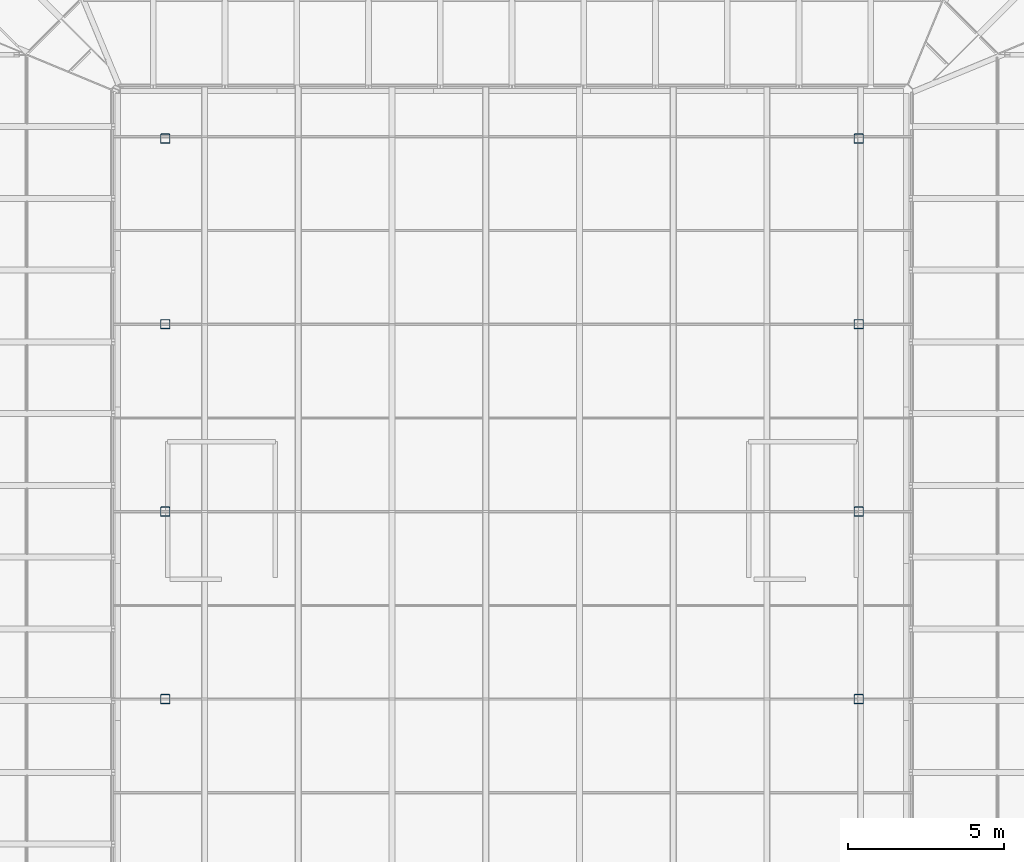
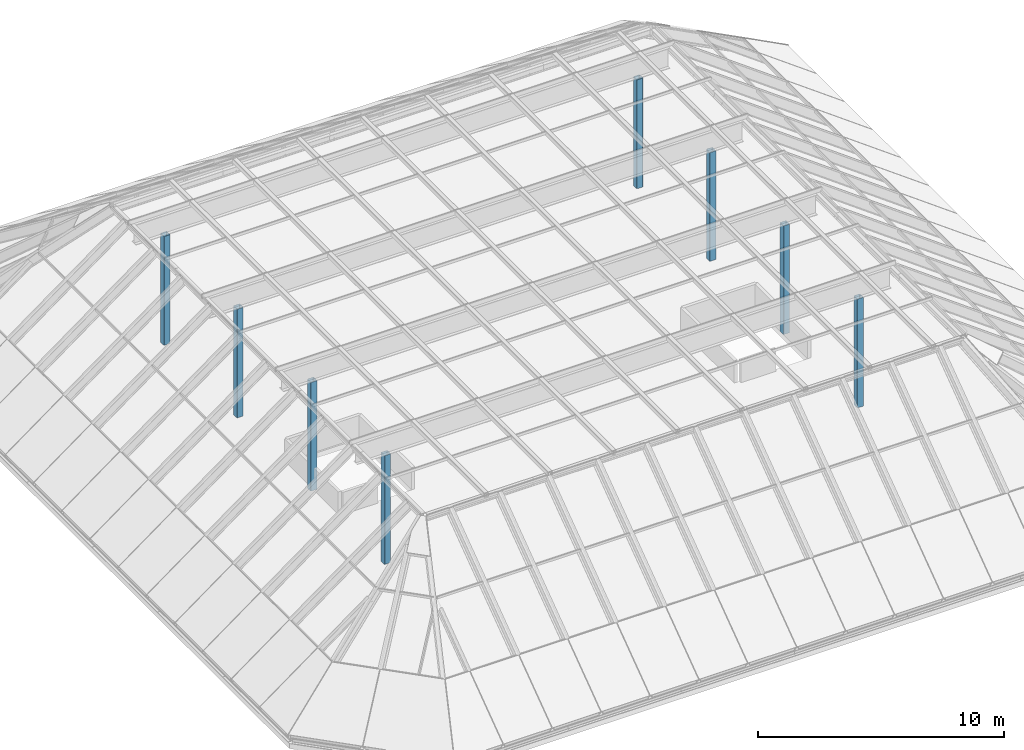
# One storey, part 1 of 15: 8 columns.
"""IFC4 building model written with IfcOpenShell, lengths in metres."""

from ifc_helpers import new_model, si_unit, direction, frame, origin, origin_2d, place, context, subcontext, project, spatial, hollow_rectangle, extrude, material, material_profile, profile_set, type_object, element, save


model = new_model("IFC4")

# Units and contexts
model_context = context("Model", 3, precision=1e-05, world=origin(), true_north=direction((0.0, 1.0)))
body_context = subcontext(model_context, "Body", "Model", "MODEL_VIEW")
ifc_project = project(units=[si_unit("LENGTHUNIT", "METRE"), si_unit("AREAUNIT", "SQUARE_METRE"), si_unit("VOLUMEUNIT", "CUBIC_METRE"), si_unit("PLANEANGLEUNIT", "RADIAN"), si_unit("MASSUNIT", "GRAM", prefix="KILO")], contexts=[model_context])

# Site, building, storey
site_placement = place(None, origin())
site = spatial("IfcSite", under=ifc_project, at=site_placement, CompositionType="ELEMENT")
building_placement = place(site_placement, origin())
building = spatial("IfcBuilding", under=site, at=building_placement, Name="Quoin Convention Tower", CompositionType="ELEMENT")
storey_placement = place(building_placement, frame((0.0, 0.0, 273.699951171875)))
storey = spatial("IfcBuildingStorey", under=building, at=storey_placement, Name="Roof", CompositionType="ELEMENT", Elevation=273.699951171875)

# Columns
ifc_material = material(Name="Steel C450L0", Category="steel")
ifc_material_profile = material_profile(ifc_material, hollow_rectangle(XDim=0.300048828125, YDim=0.300048828125, WallThickness=0.012451171875, InnerFilletRadius=0.018798828125, OuterFilletRadius=0.03125, at=origin_2d()), Name="300x300x12.5SHS")
ifc_profile_set = profile_set([ifc_material_profile], Name="Steel C450L0")
column_type = type_object("IfcColumnType", Name="300x300x12.5SHS CROWN POST", PredefinedType="COLUMN", material=ifc_profile_set)
for number, where, z_axis, x_axis, name in (
    (1, (45.14990234375, 53.909912109375, 0.0), (0.0, 0.0, 1.0), (1.0, 0.0, 0.0), "LANTERN CROWN POST"),
    (2, (67.35009765625, 53.909912109375, 0.0), (0.0, 0.0, 1.0), (1.0, 0.0, 0.0), "LANTERN CROWN POST"),
    (3, (45.14990234375, 59.909912109375, 0.0), (0.0, 0.0, 1.0), (1.0, 0.0, 0.0), "LANTERN CROWN POST"),
    (4, (67.35009765625, 59.909912109375, 0.0), (0.0, 0.0, 1.0), (1.0, 0.0, 0.0), "LANTERN CROWN POST"),
    (5, (45.14990234375, 65.909912109375, 0.0), (0.0, 0.0, 1.0), (1.0, 0.0, 0.0), "LANTERN CROWN POST"),
    (6, (67.35009765625, 65.909912109375, 0.0), (0.0, 0.0, 1.0), (1.0, 0.0, 0.0), "LANTERN CROWN POST"),
    (7, (45.14990234375, 71.85009765625, 0.0), (0.0, 0.0, 1.0), (1.0, 0.0, 0.0), "LANTERN CROWN POST"),
    (8, (67.35009765625, 71.85009765625, 0.0), (0.0, 0.0, 1.0), (1.0, 0.0, 0.0), "LANTERN CROWN POST"),
):
    element("IfcColumn", number, at=place(storey_placement, frame(where, z_axis=z_axis, x_axis=x_axis)), inside=storey, type_object=column_type, Name=name, PredefinedType="COLUMN", context=body_context, shape_type="SweptSolid", body=[
        extrude(hollow_rectangle(XDim=0.300048828125, YDim=0.300048828125, WallThickness=0.012451171875, InnerFilletRadius=0.018798828125, OuterFilletRadius=0.03125, at=origin_2d()), origin(), (0.0, 0.0, 1.0), 5.3955078125),
    ])

save(model, "model.ifc")
